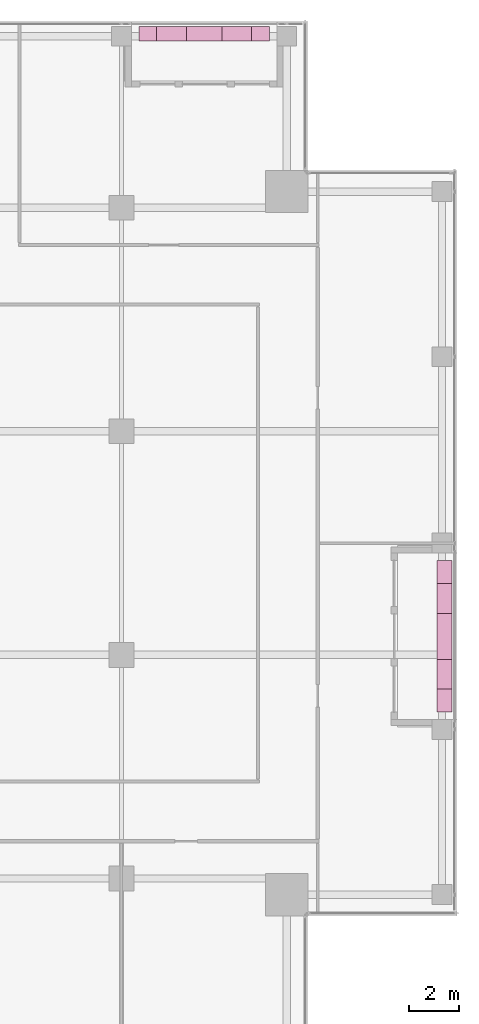
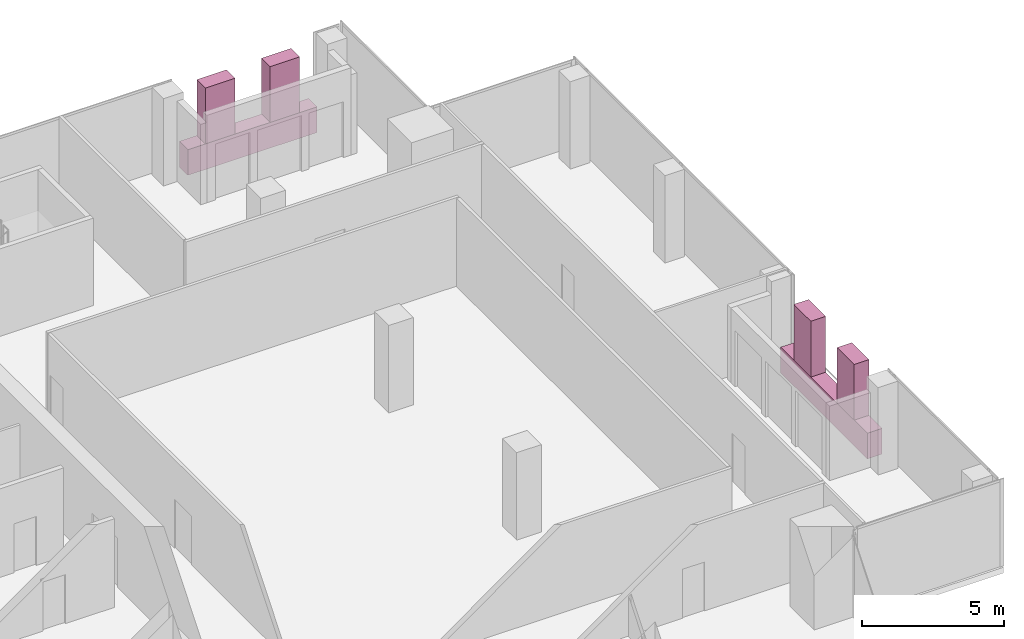
# One storey, part 29 of 29: 6 furnishings.
"""IFC4 building model written with IfcOpenShell, lengths in metres."""

from ifc_helpers import new_model, si_unit, direction, frame, origin, origin_2d, place, context, subcontext, project, spatial, rectangle, extrude, source, transform, mapped, material, type_object, element, save


model = new_model("IFC4")

# Units and contexts
model_context = context("Model", 3, precision=1e-05, world=origin(), true_north=direction((0.0, 1.0)))
body_context = subcontext(model_context, "Body", "Model", "MODEL_VIEW")
ifc_project = project(units=[si_unit("LENGTHUNIT", "METRE"), si_unit("AREAUNIT", "SQUARE_METRE"), si_unit("VOLUMEUNIT", "CUBIC_METRE"), si_unit("PLANEANGLEUNIT", "RADIAN"), si_unit("MASSUNIT", "GRAM", prefix="KILO")], contexts=[model_context])

# Site, building, storey
site_placement = place(None, origin())
site = spatial("IfcSite", under=ifc_project, at=site_placement, CompositionType="ELEMENT")
building_placement = place(site_placement, origin())
building = spatial("IfcBuilding", under=site, at=building_placement, Name="Khomas Fold Tower", CompositionType="ELEMENT")
storey_placement = place(building_placement, frame((0.0, 0.0, 322.199951171875)))
storey = spatial("IfcBuildingStorey", under=building, at=storey_placement, Name="L73", CompositionType="ELEMENT", Elevation=322.199951171875)

# Furnishings
ifc_material_1 = material(Name="Planting")
furnishing_element_type_1 = type_object("IfcFurnishingElementType", Name="BL-Tree Shepherd's tree", material=ifc_material_1)
shared_shape_1 = source(origin(), body_context, "Body", "SweptSolid", [
    extrude(rectangle(XDim=1.199951171875, YDim=0.60009765625, at=origin_2d()), origin(), (0.0, 0.0, 1.0), 2.39501953125),
])
furnishing_1_placement = place(storey_placement, frame((47.5, 21.72509765625, 1.054931640625), z_axis=(0.0, 0.0, 1.0), x_axis=(0.0, 1.0, 0.0)))
element("IfcFurnishingElement", 1, at=furnishing_1_placement, inside=storey, type_object=furnishing_element_type_1, Name="PLANTER (TREE) Shepherd's tree BAL-L73-E2-1", context=body_context, shape_type="MappedRepresentation", body=[
    mapped(shared_shape_1, transform((0.0, 0.0, 0.0))),
])
ifc_material_2 = material(Name="Planting")
furnishing_element_type_2 = type_object("IfcFurnishingElementType", Name="BL-Tree Karee", material=ifc_material_2)
furnishing_2_placement = place(storey_placement, frame((47.5, 24.77490234375, 1.054931640625), z_axis=(0.0, 0.0, 1.0), x_axis=(0.0, 1.0, 0.0)))
element("IfcFurnishingElement", 2, at=furnishing_2_placement, inside=storey, type_object=furnishing_element_type_2, Name="PLANTER (TREE) Karee BAL-L73-E2-2", context=body_context, shape_type="MappedRepresentation", body=[
    mapped(shared_shape_1, transform((0.0, 0.0, 0.0))),
])
furnishing_3_placement = place(storey_placement, frame((36.512451171875, 47.5, 1.054931640625), z_axis=(0.0, 0.0, 1.0), x_axis=(1.0, 0.0, 0.0)))
element("IfcFurnishingElement", 3, at=furnishing_3_placement, inside=storey, type_object=furnishing_element_type_1, Name="PLANTER (TREE) Shepherd's tree BAL-L73-N4-1", context=body_context, shape_type="MappedRepresentation", body=[
    mapped(shared_shape_1, transform((0.0, 0.0, 0.0))),
])
furnishing_4_placement = place(storey_placement, frame((39.137451171875, 47.5, 1.054931640625), z_axis=(0.0, 0.0, 1.0), x_axis=(1.0, 0.0, 0.0)))
element("IfcFurnishingElement", 4, at=furnishing_4_placement, inside=storey, type_object=furnishing_element_type_2, Name="PLANTER (TREE) Karee BAL-L73-N4-2", context=body_context, shape_type="MappedRepresentation", body=[
    mapped(shared_shape_1, transform((0.0, 0.0, 0.0))),
])
ifc_material_3 = material(Name="Precast concrete C40/50", Category="concrete")
furnishing_element_type_3 = type_object("IfcFurnishingElementType", Name="BL-Structural planter box", material=ifc_material_3)
shared_shape_2 = source(origin(), body_context, "Body", "SweptSolid", [
    extrude(rectangle(XDim=5.25, YDim=0.60009765625, at=origin_2d()), origin(), (0.0, 0.0, 1.0), 1.10009765625),
])
furnishing_5_placement = place(storey_placement, frame((37.824951171875, 47.5, -0.044921875), z_axis=(0.0, 0.0, 1.0), x_axis=(1.0, 0.0, 0.0)))
element("IfcFurnishingElement", 5, at=furnishing_5_placement, inside=storey, type_object=furnishing_element_type_3, Name="PLANTER BAL-L73-N4", context=body_context, shape_type="MappedRepresentation", body=[
    mapped(shared_shape_2, transform((0.0, 0.0, 0.0))),
])
shared_shape_3 = source(origin(), body_context, "Body", "SweptSolid", [
    extrude(rectangle(XDim=6.10009765625, YDim=0.60009765625, at=origin_2d()), origin(), (0.0, 0.0, 1.0), 1.10009765625),
])
furnishing_6_placement = place(storey_placement, frame((47.5, 23.25, -0.044921875), z_axis=(0.0, 0.0, 1.0), x_axis=(0.0, 1.0, 0.0)))
element("IfcFurnishingElement", 6, at=furnishing_6_placement, inside=storey, type_object=furnishing_element_type_3, Name="PLANTER BAL-L73-E2", context=body_context, shape_type="MappedRepresentation", body=[
    mapped(shared_shape_3, transform((0.0, 0.0, 0.0))),
])

save(model, "model.ifc")
